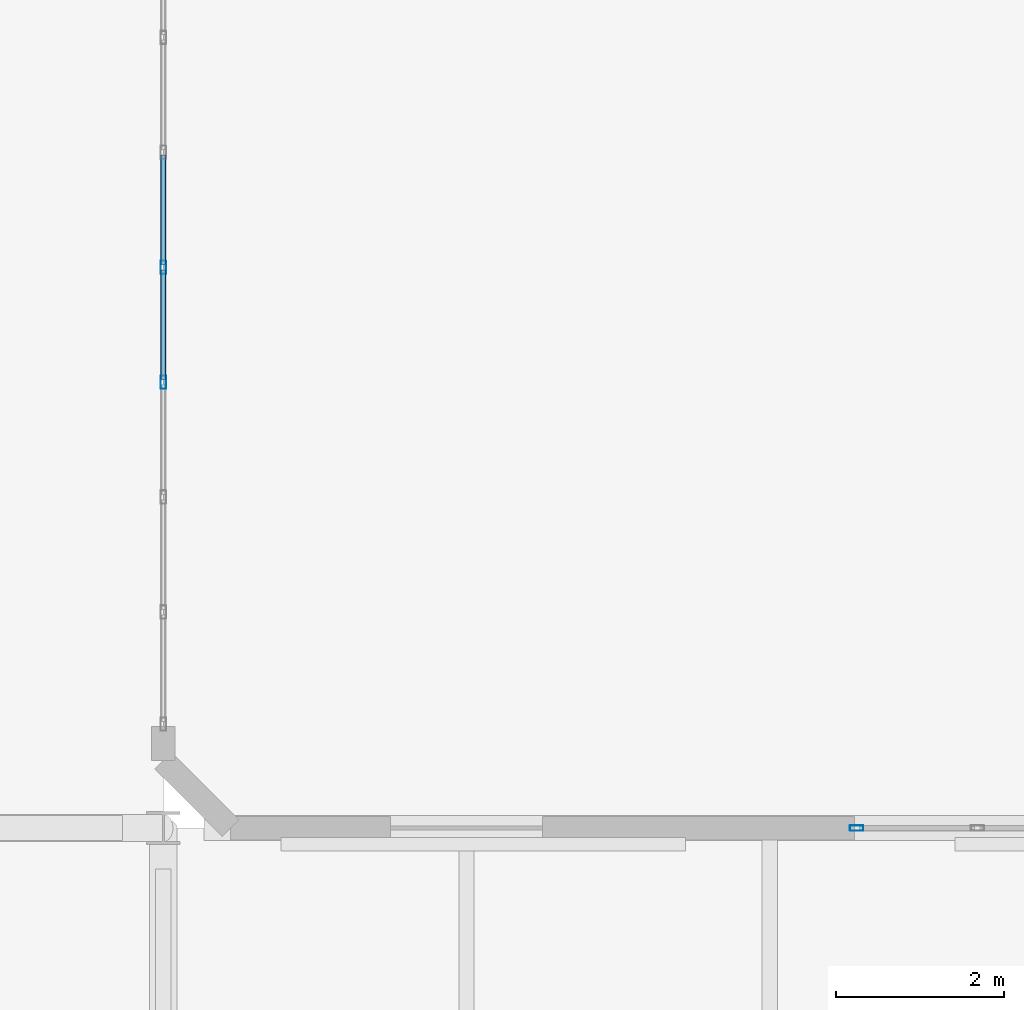
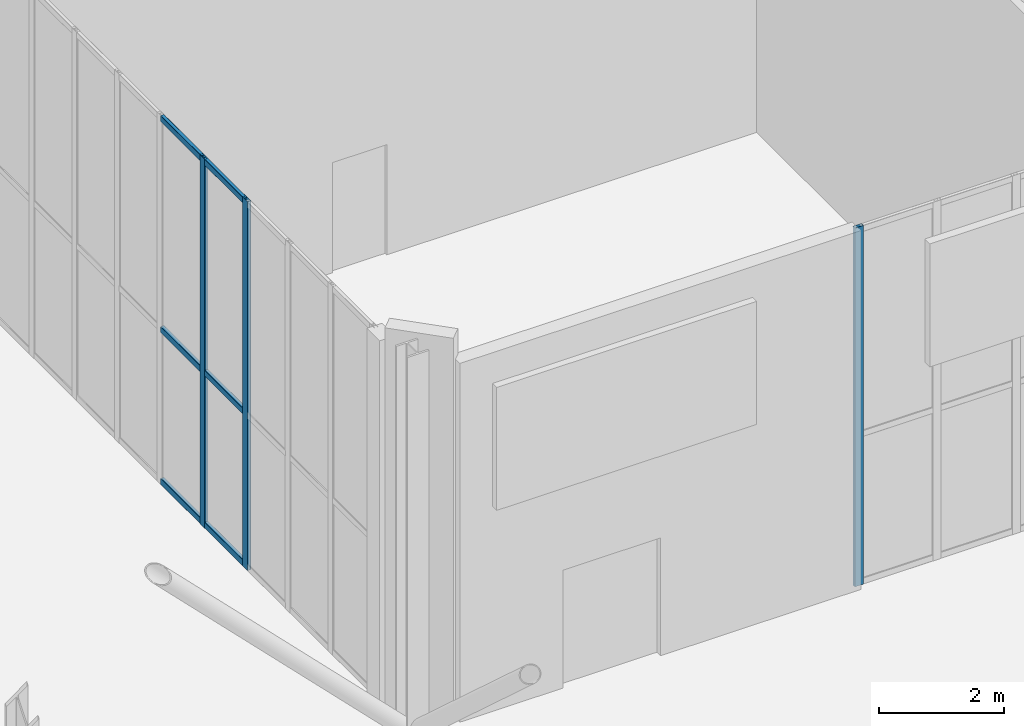
# One storey, part 7 of 23: 9 members, 2 elements without a shape of their own.
"""IFC4 building model written with IfcOpenShell, lengths in metres."""

from ifc_helpers import new_model, si_unit, direction, frame, origin, origin_2d, place, context, subcontext, project, spatial, hollow_rectangle, extrude, material, layer, layer_set, material_profile, profile_set, type_object, element, aggregate, save


model = new_model("IFC4")

# Units and contexts
model_context = context("Model", 3, precision=1e-05, world=origin(), true_north=direction((0.0, 1.0)))
body_context = subcontext(model_context, "Body", "Model", "MODEL_VIEW")
ifc_project = project(units=[si_unit("LENGTHUNIT", "METRE"), si_unit("AREAUNIT", "SQUARE_METRE"), si_unit("VOLUMEUNIT", "CUBIC_METRE"), si_unit("PLANEANGLEUNIT", "RADIAN"), si_unit("MASSUNIT", "GRAM", prefix="KILO")], contexts=[model_context])

# Site, building, storey
site_placement = place(None, origin())
site = spatial("IfcSite", under=ifc_project, at=site_placement, CompositionType="ELEMENT")
building_placement = place(site_placement, origin())
building = spatial("IfcBuilding", under=site, at=building_placement, Name="Kaelvorn Grand Hotel", CompositionType="ELEMENT")
storey_placement = place(building_placement, frame((0.0, 0.0, 310.699951171875)))
storey = spatial("IfcBuildingStorey", under=building, at=storey_placement, Name="L75", CompositionType="ELEMENT", Elevation=310.699951171875)

# Curtain wall, member
ifc_material = material(Name="Anodised Aluminium", Category="aluminium")
ifc_layer = layer(ifc_material, 0.159912109375)
ifc_layer_set = layer_set([ifc_layer], Name="Anodised Aluminium")
curtain_wall_type = type_object("IfcCurtainWallType", Name="CW-SYS6", PredefinedType="NOTDEFINED", material=ifc_layer_set)
curtain_wall_1_placement = place(storey_placement, origin())
curtain_wall_1 = element("IfcCurtainWall", 1, at=curtain_wall_1_placement, inside=storey, type_object=curtain_wall_type, Name="L75 Unitised Curtain Wall CW6 (CW-L75-S1)", PredefinedType="NOTDEFINED")
ifc_material_profile_1 = material_profile(ifc_material, hollow_rectangle(XDim=0.06494140625, YDim=0.159912109375, WallThickness=0.00341796875, InnerFilletRadius=0.00341796875, OuterFilletRadius=0.007080078125, at=origin_2d()), Name="ALU MULL 65x160")
ifc_profile_set_1 = profile_set([ifc_material_profile_1], Name="Anodised Aluminium")
member_type_1 = type_object("IfcMemberType", Name="CW-SYS6-MULL", PredefinedType="MULLION", material=ifc_profile_set_1)
member_1_placement = place(storey_placement, frame((24.4326171875, 15.0, 0.0), z_axis=(0.0, 0.0, 1.0), x_axis=(0.0, 1.0, 0.0)))
member_1 = element("IfcMember", 2, at=member_1_placement, type_object=member_type_1, Name="CW6 mullion 1", PredefinedType="MULLION", context=body_context, shape_type="SweptSolid", body=[
    extrude(hollow_rectangle(XDim=0.06494140625, YDim=0.159912109375, WallThickness=0.00341796875, InnerFilletRadius=0.00341796875, OuterFilletRadius=0.007080078125, at=origin_2d()), origin(), (0.0, 0.0, 1.0), 7.0),
])
aggregate(curtain_wall_1, [member_1])

# Curtain wall, members
curtain_wall_2_placement = place(storey_placement, origin())
curtain_wall_2 = element("IfcCurtainWall", 3, at=curtain_wall_2_placement, inside=storey, type_object=curtain_wall_type, Name="L75 Unitised Curtain Wall CW6 (CW-L75-W-01)", PredefinedType="NOTDEFINED")
member_2_placement = place(storey_placement, frame((16.199951171875, 21.65771484375, 0.0), z_axis=(0.0, 0.0, 1.0), x_axis=(1.0, 0.0, 0.0)))
member_2 = element("IfcMember", 4, at=member_2_placement, type_object=member_type_1, Name="CW6 mullion 6", PredefinedType="MULLION", context=body_context, shape_type="SweptSolid", body=[
    extrude(hollow_rectangle(XDim=0.06494140625, YDim=0.159912109375, WallThickness=0.00341796875, InnerFilletRadius=0.00341796875, OuterFilletRadius=0.007080078125, at=origin_2d()), origin(), (0.0, 0.0, 1.0), 7.199951171875),
])
member_3_placement = place(storey_placement, frame((16.199951171875, 20.293212890625, 0.0), z_axis=(0.0, 0.0, 1.0), x_axis=(1.0, 0.0, 0.0)))
member_3 = element("IfcMember", 5, at=member_3_placement, type_object=member_type_1, Name="CW6 mullion 7", PredefinedType="MULLION", context=body_context, shape_type="SweptSolid", body=[
    extrude(hollow_rectangle(XDim=0.06494140625, YDim=0.159912109375, WallThickness=0.00341796875, InnerFilletRadius=0.00341796875, OuterFilletRadius=0.007080078125, at=origin_2d()), origin(), (0.0, 0.0, 1.0), 7.199951171875),
])
ifc_material_profile_2 = material_profile(ifc_material, hollow_rectangle(XDim=0.06494140625, YDim=0.1201171875, WallThickness=0.00341796875, InnerFilletRadius=0.00341796875, OuterFilletRadius=0.007080078125, at=origin_2d()), Name="ALU TRAN 65x120")
ifc_profile_set_2 = profile_set([ifc_material_profile_2], Name="Anodised Aluminium")
member_type_2 = type_object("IfcMemberType", Name="CW-SYS6-TRAN", PredefinedType="NOTDEFINED", material=ifc_profile_set_2)
member_4_placement = place(storey_placement, frame((16.199951171875, 22.98974609375, 0.06005859375), z_axis=(0.0, -1.0, 0.0), x_axis=(1.0, 0.0, 0.0)))
member_4 = element("IfcMember", 6, at=member_4_placement, type_object=member_type_2, Name="CW6 transom 5.1", ObjectType="TRANSOM", PredefinedType="USERDEFINED", context=body_context, shape_type="SweptSolid", body=[
    extrude(hollow_rectangle(XDim=0.06494140625, YDim=0.1201171875, WallThickness=0.00341796875, InnerFilletRadius=0.00341796875, OuterFilletRadius=0.007080078125, at=origin_2d()), origin(), (0.0, 0.0, 1.0), 1.299560546875),
])
member_5_placement = place(storey_placement, frame((16.199951171875, 22.98974609375, 3.024169921875), z_axis=(0.0, -1.0, 0.0), x_axis=(1.0, 0.0, 0.0)))
member_5 = element("IfcMember", 7, at=member_5_placement, type_object=member_type_2, Name="CW6 transom 5.2", ObjectType="TRANSOM", PredefinedType="USERDEFINED", context=body_context, shape_type="SweptSolid", body=[
    extrude(hollow_rectangle(XDim=0.06494140625, YDim=0.1201171875, WallThickness=0.00341796875, InnerFilletRadius=0.00341796875, OuterFilletRadius=0.007080078125, at=origin_2d()), origin(), (0.0, 0.0, 1.0), 1.299560546875),
])
member_6_placement = place(storey_placement, frame((16.199951171875, 22.98974609375, 7.14013671875), z_axis=(0.0, -1.0, 0.0), x_axis=(1.0, 0.0, 0.0)))
member_6 = element("IfcMember", 8, at=member_6_placement, type_object=member_type_2, Name="CW6 transom 5.3", ObjectType="TRANSOM", PredefinedType="USERDEFINED", context=body_context, shape_type="SweptSolid", body=[
    extrude(hollow_rectangle(XDim=0.06494140625, YDim=0.1201171875, WallThickness=0.00341796875, InnerFilletRadius=0.00341796875, OuterFilletRadius=0.007080078125, at=origin_2d()), origin(), (0.0, 0.0, 1.0), 1.299560546875),
])
member_7_placement = place(storey_placement, frame((16.199951171875, 21.625244140625, 0.06005859375), z_axis=(0.0, -1.0, 0.0), x_axis=(1.0, 0.0, 0.0)))
member_7 = element("IfcMember", 9, at=member_7_placement, type_object=member_type_2, Name="CW6 transom 6.1", ObjectType="TRANSOM", PredefinedType="USERDEFINED", context=body_context, shape_type="SweptSolid", body=[
    extrude(hollow_rectangle(XDim=0.06494140625, YDim=0.1201171875, WallThickness=0.00341796875, InnerFilletRadius=0.00341796875, OuterFilletRadius=0.007080078125, at=origin_2d()), origin(), (0.0, 0.0, 1.0), 1.29931640625),
])
member_8_placement = place(storey_placement, frame((16.199951171875, 21.625244140625, 3.024169921875), z_axis=(0.0, -1.0, 0.0), x_axis=(1.0, 0.0, 0.0)))
member_8 = element("IfcMember", 10, at=member_8_placement, type_object=member_type_2, Name="CW6 transom 6.2", ObjectType="TRANSOM", PredefinedType="USERDEFINED", context=body_context, shape_type="SweptSolid", body=[
    extrude(hollow_rectangle(XDim=0.06494140625, YDim=0.1201171875, WallThickness=0.00341796875, InnerFilletRadius=0.00341796875, OuterFilletRadius=0.007080078125, at=origin_2d()), origin(), (0.0, 0.0, 1.0), 1.29931640625),
])
member_9_placement = place(storey_placement, frame((16.199951171875, 21.625244140625, 7.14013671875), z_axis=(0.0, -1.0, 0.0), x_axis=(1.0, 0.0, 0.0)))
member_9 = element("IfcMember", 11, at=member_9_placement, type_object=member_type_2, Name="CW6 transom 6.3", ObjectType="TRANSOM", PredefinedType="USERDEFINED", context=body_context, shape_type="SweptSolid", body=[
    extrude(hollow_rectangle(XDim=0.06494140625, YDim=0.1201171875, WallThickness=0.00341796875, InnerFilletRadius=0.00341796875, OuterFilletRadius=0.007080078125, at=origin_2d()), origin(), (0.0, 0.0, 1.0), 1.29931640625),
])
aggregate(curtain_wall_2, [member_2, member_3, member_4, member_5, member_6, member_7, member_8, member_9])

save(model, "model.ifc")
